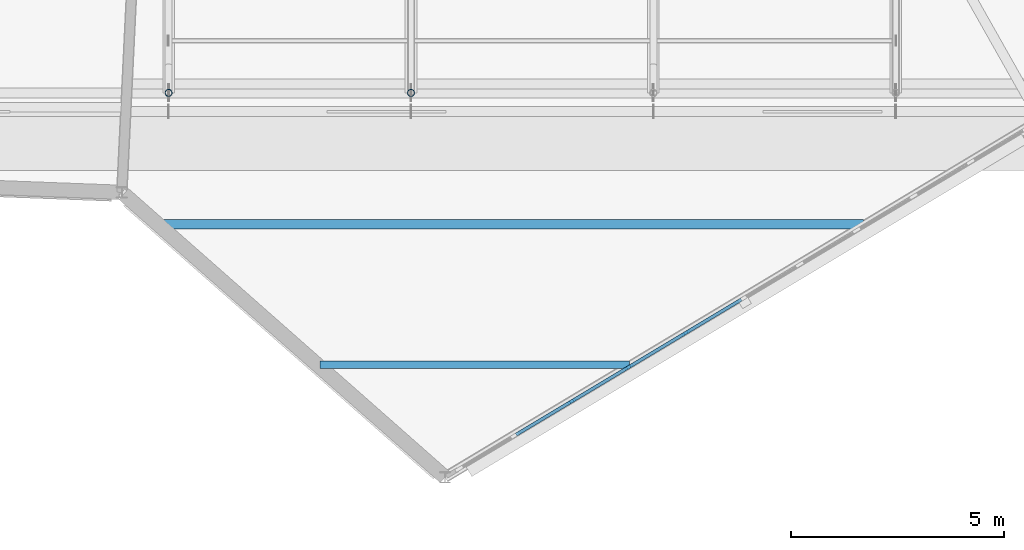
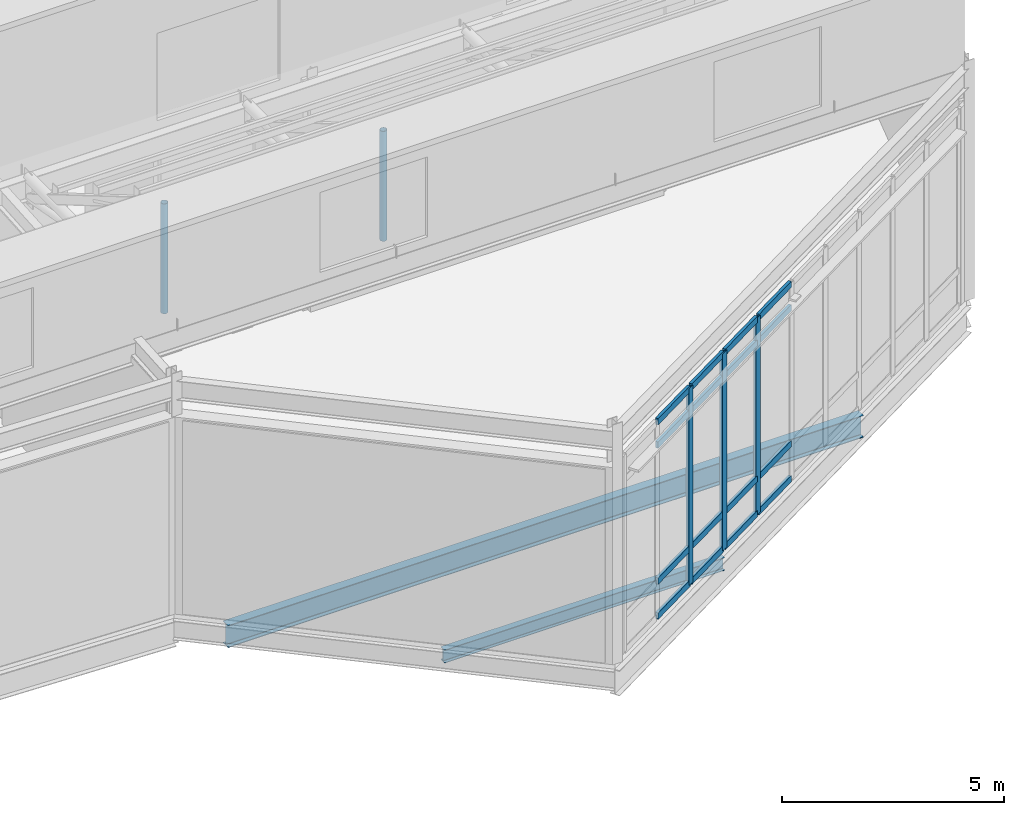
# One storey, part 12 of 55: 21 members, 2 beams, 1 element without a shape of its own.
"""IFC4 building model written with IfcOpenShell, lengths in metres."""

from ifc_helpers import new_model, si_unit, direction, frame, origin, origin_2d, place, context, subcontext, project, spatial, rectangle, hollow_circle, i_section, extrude, material, material_profile, profile_set, type_object, element, aggregate, save


model = new_model("IFC4")

# Units and contexts
model_context = context("Model", 3, precision=1e-05, world=origin(), true_north=direction((0.0, 1.0)))
body_context = subcontext(model_context, "Body", "Model", "MODEL_VIEW")
ifc_project = project(units=[si_unit("LENGTHUNIT", "METRE"), si_unit("AREAUNIT", "SQUARE_METRE"), si_unit("VOLUMEUNIT", "CUBIC_METRE"), si_unit("PLANEANGLEUNIT", "RADIAN"), si_unit("MASSUNIT", "GRAM", prefix="KILO")], contexts=[model_context])

# Site, building, storey
site_placement = place(None, origin())
site = spatial("IfcSite", under=ifc_project, at=site_placement, CompositionType="ELEMENT")
building_placement = place(site_placement, origin())
building = spatial("IfcBuilding", under=site, at=building_placement, Name="Tameran Prism Museum", CompositionType="ELEMENT")
storey_placement = place(building_placement, frame((0.0, 0.0, 28.800048828125)))
storey = spatial("IfcBuildingStorey", under=building, at=storey_placement, Name="L05", CompositionType="ELEMENT", Elevation=28.800048828125)

# Beams
ifc_material_1 = material(Name="Steel Grade 300PLUS (300 MPa)", Category="steel")
ifc_material_profile_1 = material_profile(ifc_material_1, i_section(OverallWidth=0.172119140625, OverallDepth=0.35888671875, WebThickness=0.008056640625, FlangeThickness=0.012939453125, FilletRadius=0.011474609375, at=origin_2d()))
ifc_profile_set_1 = profile_set([ifc_material_profile_1])
beam_type_1 = type_object("IfcBeamType", Name="BM-J360A", PredefinedType="JOIST", material=ifc_profile_set_1)
beam_1_placement = place(storey_placement, frame((122.554931640625, 66.550048828125, -0.41943359375), z_axis=(1.0, 0.0, 0.0), x_axis=(0.0, 1.0, 0.0)))
element("IfcBeam", 1, at=beam_1_placement, inside=storey, type_object=beam_type_1, Name="Floor Beam BM-1293", PredefinedType="JOIST", context=body_context, shape_type="SweptSolid", body=[
    extrude(i_section(OverallWidth=0.172119140625, OverallDepth=0.35888671875, WebThickness=0.008056640625, FlangeThickness=0.012939453125, FilletRadius=0.011474609375, at=origin_2d()), origin(), (0.0, 0.0, 1.0), 7.2841796875),
])
ifc_material_2 = material(Name="Steel Grade 300PLUS (300 MPa)", Category="steel")
ifc_material_profile_2 = material_profile(ifc_material_2, i_section(OverallWidth=0.22802734375, OverallDepth=0.60693359375, WebThickness=0.01123046875, FlangeThickness=0.017333984375, FilletRadius=0.013916015625, at=origin_2d()))
ifc_profile_set_2 = profile_set([ifc_material_profile_2])
beam_type_2 = type_object("IfcBeamType", Name="BM-UB610B", PredefinedType="BEAM", material=ifc_profile_set_2)
beam_2_placement = place(storey_placement, frame((118.81103515625, 69.85009765625, -0.54345703125), z_axis=(1.0, 0.0, 0.0), x_axis=(0.0, 1.0, 0.0)))
element("IfcBeam", 2, at=beam_2_placement, inside=storey, type_object=beam_type_2, Name="Floor Beam BM-1294", PredefinedType="BEAM", context=body_context, shape_type="SweptSolid", body=[
    extrude(i_section(OverallWidth=0.22802734375, OverallDepth=0.60693359375, WebThickness=0.01123046875, FlangeThickness=0.017333984375, FilletRadius=0.013916015625, at=origin_2d()), origin(), (0.0, 0.0, 1.0), 16.528076171875),
])

# Curtain wall, members
ifc_material_3 = material(Name="Anodised Aluminium 6063-T6 and Cyclone Solar Glass", Category="aluminium")
curtain_wall_type = type_object("IfcCurtainWallType", Name="CW-FAC-1563x542", PredefinedType="USERDEFINED", material=ifc_material_3)
curtain_wall_placement = place(storey_placement, origin())
curtain_wall = element("IfcCurtainWall", 3, at=curtain_wall_placement, inside=storey, type_object=curtain_wall_type, Name="Unitised Curtain Wall CW-165", ObjectType="UNITISED CURTAIN WALL", PredefinedType="USERDEFINED")
ifc_material_4 = material(Name="Anodised Aluminium Alloy 6063-T6", Category="aluminium")
ifc_material_profile_3 = material_profile(ifc_material_4, rectangle(XDim=0.074951171875, YDim=0.199951171875, at=origin_2d()))
ifc_profile_set_3 = profile_set([ifc_material_profile_3])
member_type_1 = type_object("IfcMemberType", Name="CW-MUL-C", PredefinedType="MULLION", material=ifc_profile_set_3)
member_1_placement = place(storey_placement, frame((131.159912109375, 67.2958984375, 0.0), z_axis=(0.0, 0.0, 1.0), x_axis=(0.514495755426, -0.857492925713, 0.0)))
member_1 = element("IfcMember", 4, at=member_1_placement, type_object=member_type_1, Name="CW-165 mullion 7", PredefinedType="MULLION", context=body_context, shape_type="SweptSolid", body=[
    extrude(rectangle(XDim=0.074951171875, YDim=0.199951171875, at=origin_2d()), origin(), (0.0, 0.0, 1.0), 5.419921875),
])
member_2_placement = place(storey_placement, frame((129.820068359375, 66.491943359375, 0.0), z_axis=(0.0, 0.0, 1.0), x_axis=(0.514495755426, -0.857492925713, 0.0)))
member_2 = element("IfcMember", 5, at=member_2_placement, type_object=member_type_1, Name="CW-165 mullion 8", PredefinedType="MULLION", context=body_context, shape_type="SweptSolid", body=[
    extrude(rectangle(XDim=0.074951171875, YDim=0.199951171875, at=origin_2d()), origin(), (0.0, 0.0, 1.0), 5.419921875),
])
member_3_placement = place(storey_placement, frame((128.47998046875, 65.68798828125, 0.0), z_axis=(0.0, 0.0, 1.0), x_axis=(0.514495755426, -0.857492925713, 0.0)))
member_3 = element("IfcMember", 6, at=member_3_placement, type_object=member_type_1, Name="CW-165 mullion 9", PredefinedType="MULLION", context=body_context, shape_type="SweptSolid", body=[
    extrude(rectangle(XDim=0.074951171875, YDim=0.199951171875, at=origin_2d()), origin(), (0.0, 0.0, 1.0), 5.419921875),
])
ifc_material_5 = material(Name="Anodised Aluminium Alloy 6063-T6", Category="aluminium")
ifc_material_profile_4 = material_profile(ifc_material_5, rectangle(XDim=0.074951171875, YDim=0.175048828125, at=origin_2d()))
ifc_profile_set_4 = profile_set([ifc_material_profile_4])
member_type_2 = type_object("IfcMemberType", Name="CW-TRN-C", PredefinedType="USERDEFINED", material=ifc_profile_set_4)
member_4_placement = place(storey_placement, frame((132.4677734375, 68.080810546875, 0.037353515625), z_axis=(-0.857420520331, -0.51461641182, 0.0), x_axis=(0.51461641182, -0.857420520331, 0.0)))
member_4 = element("IfcMember", 7, at=member_4_placement, type_object=member_type_2, Name="CW-165 transom 6.1", ObjectType="TRANSOM", PredefinedType="USERDEFINED", context=body_context, shape_type="SweptSolid", body=[
    extrude(rectangle(XDim=0.074951171875, YDim=0.175048828125, at=origin_2d()), origin(), (0.0, 0.0, 1.0), 1.48779296875),
])
member_5_placement = place(storey_placement, frame((132.4677734375, 68.080810546875, 1.0), z_axis=(-0.857420520331, -0.51461641182, 0.0), x_axis=(0.51461641182, -0.857420520331, 0.0)))
member_5 = element("IfcMember", 8, at=member_5_placement, type_object=member_type_2, Name="CW-165 transom 6.2", ObjectType="TRANSOM", PredefinedType="USERDEFINED", context=body_context, shape_type="SweptSolid", body=[
    extrude(rectangle(XDim=0.074951171875, YDim=0.175048828125, at=origin_2d()), origin(), (0.0, 0.0, 1.0), 1.48779296875),
])
member_6_placement = place(storey_placement, frame((132.4677734375, 68.080810546875, 4.739990234375), z_axis=(-0.857420520331, -0.51461641182, 0.0), x_axis=(0.51461641182, -0.857420520331, 0.0)))
member_6 = element("IfcMember", 9, at=member_6_placement, type_object=member_type_2, Name="CW-165 transom 6.3", ObjectType="TRANSOM", PredefinedType="USERDEFINED", context=body_context, shape_type="SweptSolid", body=[
    extrude(rectangle(XDim=0.074951171875, YDim=0.175048828125, at=origin_2d()), origin(), (0.0, 0.0, 1.0), 1.48779296875),
])
member_7_placement = place(storey_placement, frame((132.4677734375, 68.080810546875, 5.382568359375), z_axis=(-0.857420520331, -0.51461641182, 0.0), x_axis=(0.51461641182, -0.857420520331, 0.0)))
member_7 = element("IfcMember", 10, at=member_7_placement, type_object=member_type_2, Name="CW-165 transom 6.4", ObjectType="TRANSOM", PredefinedType="USERDEFINED", context=body_context, shape_type="SweptSolid", body=[
    extrude(rectangle(XDim=0.074951171875, YDim=0.175048828125, at=origin_2d()), origin(), (0.0, 0.0, 1.0), 1.48779296875),
])
member_8_placement = place(storey_placement, frame((131.1279296875, 67.276611328125, 0.037353515625), z_axis=(-0.857536358347, -0.514423360777, 0.0), x_axis=(0.514423360777, -0.857536358347, 0.0)))
member_8 = element("IfcMember", 11, at=member_8_placement, type_object=member_type_2, Name="CW-165 transom 7.1", ObjectType="TRANSOM", PredefinedType="USERDEFINED", context=body_context, shape_type="SweptSolid", body=[
    extrude(rectangle(XDim=0.074951171875, YDim=0.175048828125, at=origin_2d()), origin(), (0.0, 0.0, 1.0), 1.48779296875),
])
member_9_placement = place(storey_placement, frame((131.1279296875, 67.276611328125, 1.0), z_axis=(-0.857536358347, -0.514423360777, 0.0), x_axis=(0.514423360777, -0.857536358347, 0.0)))
member_9 = element("IfcMember", 12, at=member_9_placement, type_object=member_type_2, Name="CW-165 transom 7.2", ObjectType="TRANSOM", PredefinedType="USERDEFINED", context=body_context, shape_type="SweptSolid", body=[
    extrude(rectangle(XDim=0.074951171875, YDim=0.175048828125, at=origin_2d()), origin(), (0.0, 0.0, 1.0), 1.48779296875),
])
member_10_placement = place(storey_placement, frame((131.1279296875, 67.276611328125, 4.739990234375), z_axis=(-0.857536358347, -0.514423360777, 0.0), x_axis=(0.514423360777, -0.857536358347, 0.0)))
member_10 = element("IfcMember", 13, at=member_10_placement, type_object=member_type_2, Name="CW-165 transom 7.3", ObjectType="TRANSOM", PredefinedType="USERDEFINED", context=body_context, shape_type="SweptSolid", body=[
    extrude(rectangle(XDim=0.074951171875, YDim=0.175048828125, at=origin_2d()), origin(), (0.0, 0.0, 1.0), 1.48779296875),
])
member_11_placement = place(storey_placement, frame((131.1279296875, 67.276611328125, 5.382568359375), z_axis=(-0.857536358347, -0.514423360777, 0.0), x_axis=(0.514423360777, -0.857536358347, 0.0)))
member_11 = element("IfcMember", 14, at=member_11_placement, type_object=member_type_2, Name="CW-165 transom 7.4", ObjectType="TRANSOM", PredefinedType="USERDEFINED", context=body_context, shape_type="SweptSolid", body=[
    extrude(rectangle(XDim=0.074951171875, YDim=0.175048828125, at=origin_2d()), origin(), (0.0, 0.0, 1.0), 1.48779296875),
])
member_12_placement = place(storey_placement, frame((129.787841796875, 66.47265625, 0.037353515625), z_axis=(-0.857492925713, -0.514495755428, 0.0), x_axis=(0.514495755428, -0.857492925713, 0.0)))
member_12 = element("IfcMember", 15, at=member_12_placement, type_object=member_type_2, Name="CW-165 transom 8.1", ObjectType="TRANSOM", PredefinedType="USERDEFINED", context=body_context, shape_type="SweptSolid", body=[
    extrude(rectangle(XDim=0.074951171875, YDim=0.175048828125, at=origin_2d()), origin(), (0.0, 0.0, 1.0), 1.487548828125),
])
member_13_placement = place(storey_placement, frame((129.787841796875, 66.47265625, 1.0), z_axis=(-0.857492925713, -0.514495755428, 0.0), x_axis=(0.514495755428, -0.857492925713, 0.0)))
member_13 = element("IfcMember", 16, at=member_13_placement, type_object=member_type_2, Name="CW-165 transom 8.2", ObjectType="TRANSOM", PredefinedType="USERDEFINED", context=body_context, shape_type="SweptSolid", body=[
    extrude(rectangle(XDim=0.074951171875, YDim=0.175048828125, at=origin_2d()), origin(), (0.0, 0.0, 1.0), 1.487548828125),
])
member_14_placement = place(storey_placement, frame((129.787841796875, 66.47265625, 4.739990234375), z_axis=(-0.857492925713, -0.514495755428, 0.0), x_axis=(0.514495755428, -0.857492925713, 0.0)))
member_14 = element("IfcMember", 17, at=member_14_placement, type_object=member_type_2, Name="CW-165 transom 8.3", ObjectType="TRANSOM", PredefinedType="USERDEFINED", context=body_context, shape_type="SweptSolid", body=[
    extrude(rectangle(XDim=0.074951171875, YDim=0.175048828125, at=origin_2d()), origin(), (0.0, 0.0, 1.0), 1.487548828125),
])
member_15_placement = place(storey_placement, frame((129.787841796875, 66.47265625, 5.382568359375), z_axis=(-0.857492925713, -0.514495755428, 0.0), x_axis=(0.514495755428, -0.857492925713, 0.0)))
member_15 = element("IfcMember", 18, at=member_15_placement, type_object=member_type_2, Name="CW-165 transom 8.4", ObjectType="TRANSOM", PredefinedType="USERDEFINED", context=body_context, shape_type="SweptSolid", body=[
    extrude(rectangle(XDim=0.074951171875, YDim=0.175048828125, at=origin_2d()), origin(), (0.0, 0.0, 1.0), 1.487548828125),
])
member_16_placement = place(storey_placement, frame((128.44775390625, 65.668701171875, 0.037353515625), z_axis=(-0.857492925713, -0.514495755428, 0.0), x_axis=(0.514495755428, -0.857492925713, 0.0)))
member_16 = element("IfcMember", 19, at=member_16_placement, type_object=member_type_2, Name="CW-165 transom 9.1", ObjectType="TRANSOM", PredefinedType="USERDEFINED", context=body_context, shape_type="SweptSolid", body=[
    extrude(rectangle(XDim=0.074951171875, YDim=0.175048828125, at=origin_2d()), origin(), (0.0, 0.0, 1.0), 1.487548828125),
])
member_17_placement = place(storey_placement, frame((128.44775390625, 65.668701171875, 1.0), z_axis=(-0.857492925713, -0.514495755428, 0.0), x_axis=(0.514495755428, -0.857492925713, 0.0)))
member_17 = element("IfcMember", 20, at=member_17_placement, type_object=member_type_2, Name="CW-165 transom 9.2", ObjectType="TRANSOM", PredefinedType="USERDEFINED", context=body_context, shape_type="SweptSolid", body=[
    extrude(rectangle(XDim=0.074951171875, YDim=0.175048828125, at=origin_2d()), origin(), (0.0, 0.0, 1.0), 1.487548828125),
])
member_18_placement = place(storey_placement, frame((128.44775390625, 65.668701171875, 4.739990234375), z_axis=(-0.857492925713, -0.514495755428, 0.0), x_axis=(0.514495755428, -0.857492925713, 0.0)))
member_18 = element("IfcMember", 21, at=member_18_placement, type_object=member_type_2, Name="CW-165 transom 9.3", ObjectType="TRANSOM", PredefinedType="USERDEFINED", context=body_context, shape_type="SweptSolid", body=[
    extrude(rectangle(XDim=0.074951171875, YDim=0.175048828125, at=origin_2d()), origin(), (0.0, 0.0, 1.0), 1.487548828125),
])
member_19_placement = place(storey_placement, frame((128.44775390625, 65.668701171875, 5.382568359375), z_axis=(-0.857492925713, -0.514495755428, 0.0), x_axis=(0.514495755428, -0.857492925713, 0.0)))
member_19 = element("IfcMember", 22, at=member_19_placement, type_object=member_type_2, Name="CW-165 transom 9.4", ObjectType="TRANSOM", PredefinedType="USERDEFINED", context=body_context, shape_type="SweptSolid", body=[
    extrude(rectangle(XDim=0.074951171875, YDim=0.175048828125, at=origin_2d()), origin(), (0.0, 0.0, 1.0), 1.487548828125),
])
aggregate(curtain_wall, [member_1, member_2, member_3, member_4, member_5, member_6, member_7, member_8, member_9, member_10, member_11, member_12, member_13, member_14, member_15, member_16, member_17, member_18, member_19])

# Members
ifc_material_6 = material(Name="Steel Grade C350L0 (350 MPa)", Category="steel")
ifc_material_profile_5 = material_profile(ifc_material_6, hollow_circle(Radius=0.084228515625, WallThickness=0.007080078125, at=origin_2d()))
ifc_profile_set_5 = profile_set([ifc_material_profile_5])
member_type_3 = type_object("IfcMemberType", Name="MM-BR-CHS168", PredefinedType="BRACE", material=ifc_profile_set_5)
for number, where, z_axis, x_axis, name in (
    (23, (119.0, 72.93994140625, 6.385986328125), (0.0, 0.0, 1.0), (1.0, 0.0, 0.0), "Sawtooth Brace STM-0003"),
    (24, (124.699951171875, 72.93994140625, 6.385986328125), (0.0, 0.0, 1.0), (1.0, 0.0, 0.0), "Sawtooth Brace STM-0010"),
):
    element("IfcMember", number, at=place(storey_placement, frame(where, z_axis=z_axis, x_axis=x_axis)), inside=storey, type_object=member_type_3, Name=name, PredefinedType="BRACE", context=body_context, shape_type="SweptSolid", body=[
        extrude(hollow_circle(Radius=0.084228515625, WallThickness=0.007080078125, at=origin_2d()), origin(), (0.0, 0.0, 1.0), 3.02294921875),
    ])

save(model, "model.ifc")
